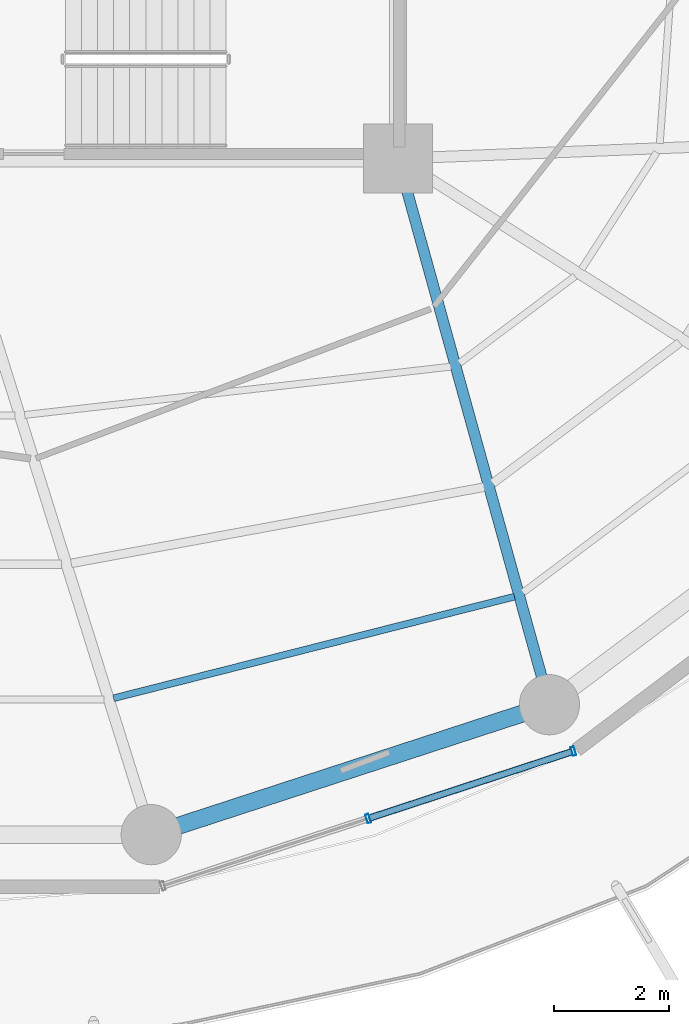
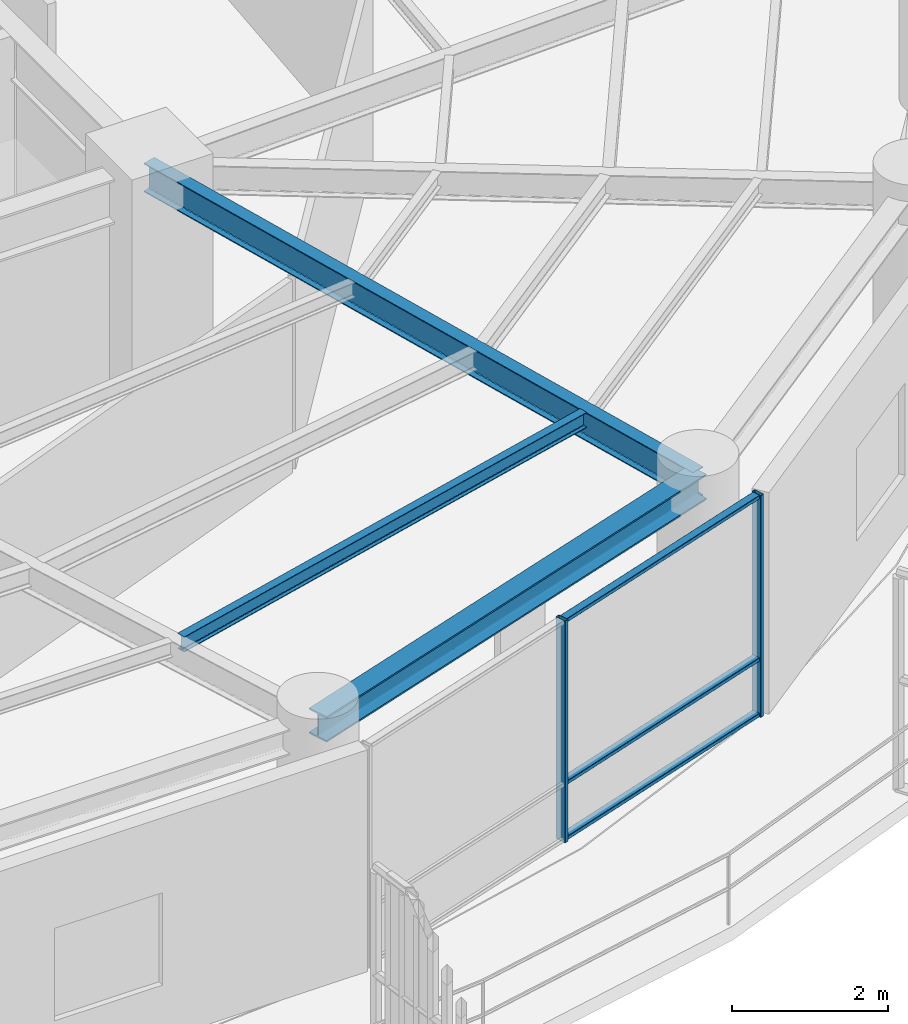
# One storey, part 10 of 31: 5 members, 3 beams, 1 element without a shape of its own.
"""IFC4 building model written with IfcOpenShell, lengths in metres."""

from ifc_helpers import new_model, si_unit, direction, frame, origin, origin_2d, place, context, subcontext, project, spatial, hollow_rectangle, i_section, extrude, material, layer, layer_set, material_profile, profile_set, type_object, element, aggregate, save


model = new_model("IFC4")

# Units and contexts
model_context = context("Model", 3, precision=1e-05, world=origin(), true_north=direction((0.0, 1.0)))
body_context = subcontext(model_context, "Body", "Model", "MODEL_VIEW")
ifc_project = project(units=[si_unit("LENGTHUNIT", "METRE"), si_unit("AREAUNIT", "SQUARE_METRE"), si_unit("VOLUMEUNIT", "CUBIC_METRE"), si_unit("PLANEANGLEUNIT", "RADIAN"), si_unit("MASSUNIT", "GRAM", prefix="KILO")], contexts=[model_context])

# Site, building, storey
site_placement = place(None, origin())
site = spatial("IfcSite", under=ifc_project, at=site_placement, CompositionType="ELEMENT")
building_placement = place(site_placement, origin())
building = spatial("IfcBuilding", under=site, at=building_placement, Name="Kelanora Arch Commons", CompositionType="ELEMENT")
storey_placement = place(building_placement, frame((0.0, 0.0, 200.699951171875)))
storey = spatial("IfcBuildingStorey", under=building, at=storey_placement, Name="L51", CompositionType="ELEMENT", Elevation=200.699951171875)

# Beams
ifc_material_1 = material(Name="Steel S355", Category="steel")
ifc_material_profile_1 = material_profile(ifc_material_1, i_section(OverallWidth=0.1201171875, OverallDepth=0.239990234375, WebThickness=0.006103515625, FlangeThickness=0.009765625, FilletRadius=0.014892578125, at=origin_2d()), Name="IPE240")
ifc_profile_set_1 = profile_set([ifc_material_profile_1], Name="Steel S355")
beam_type_1 = type_object("IfcBeamType", Name="BM-JST-02", PredefinedType="JOIST", material=ifc_profile_set_1)
beam_1_placement = place(storey_placement, frame((77.03857421875, 41.5888671875, 3.3701171875), z_axis=(0.969370989998, 0.245601066263, 0.0), x_axis=(-0.245601066263, 0.969370989998, 0.0)))
element("IfcBeam", 1, at=beam_1_placement, inside=storey, type_object=beam_type_1, Name="Secondary Chord Joist BJC-28 L51", PredefinedType="JOIST", context=body_context, shape_type="SweptSolid", body=[
    extrude(i_section(OverallWidth=0.1201171875, OverallDepth=0.239990234375, WebThickness=0.006103515625, FlangeThickness=0.009765625, FilletRadius=0.014892578125, at=origin_2d()), origin(), (0.0, 0.0, 1.0), 7.2119140625),
])
ifc_material_profile_2 = material_profile(ifc_material_1, i_section(OverallWidth=0.18994140625, OverallDepth=0.449951171875, WebThickness=0.009521484375, FlangeThickness=0.0146484375, FilletRadius=0.02099609375, at=origin_2d()), Name="IPE450")
ifc_profile_set_2 = profile_set([ifc_material_profile_2], Name="Steel S355")
beam_type_2 = type_object("IfcBeamType", Name="BM-RAD-Z4", PredefinedType="BEAM", material=ifc_profile_set_2)
beam_2_placement = place(storey_placement, frame((82.0, 51.0, 3.26513671875), z_axis=(0.267120164296, -0.963663228429, 0.0), x_axis=(0.963663228429, 0.267120164296, 0.0)))
element("IfcBeam", 2, at=beam_2_placement, inside=storey, type_object=beam_type_2, Name="Radial Floor Girder BR-30 L51", PredefinedType="BEAM", context=body_context, shape_type="SweptSolid", body=[
    extrude(i_section(OverallWidth=0.18994140625, OverallDepth=0.449951171875, WebThickness=0.009521484375, FlangeThickness=0.0146484375, FilletRadius=0.02099609375, at=origin_2d()), origin(), (0.0, 0.0, 1.0), 9.8828125),
])
ifc_material_profile_3 = material_profile(ifc_material_1, i_section(OverallWidth=0.300048828125, OverallDepth=0.39990234375, WebThickness=0.013427734375, FlangeThickness=0.02392578125, FilletRadius=0.027099609375, at=origin_2d()), Name="HEB400")
ifc_profile_set_3 = profile_set([ifc_material_profile_3], Name="Steel S355")
beam_type_3 = type_object("IfcBeamType", Name="BM-SPN-Z4", PredefinedType="SPANDREL", material=ifc_profile_set_3)
beam_3_placement = place(storey_placement, frame((77.6953125, 39.2099609375, 3.2900390625), z_axis=(0.950656361143, 0.310245842872, 0.0), x_axis=(-0.310245842872, 0.950656361143, 0.0)))
element("IfcBeam", 3, at=beam_3_placement, inside=storey, type_object=beam_type_3, Name="Perimeter Spandrel Beam BS-28 L51", PredefinedType="SPANDREL", context=body_context, shape_type="SweptSolid", body=[
    extrude(i_section(OverallWidth=0.300048828125, OverallDepth=0.39990234375, WebThickness=0.013427734375, FlangeThickness=0.02392578125, FilletRadius=0.027099609375, at=origin_2d()), origin(), (0.0, 0.0, 1.0), 7.304931640625),
])

# Curtain wall, members
ifc_material_2 = material(Name="Terracotta ceramic-fritted low-E glass and aluminium", Category="masonry")
ifc_layer = layer(ifc_material_2, 0.175048828125)
ifc_layer_set = layer_set([ifc_layer], Name="Terracotta ceramic-fritted low-E glass and aluminium")
curtain_wall_type = type_object("IfcCurtainWallType", Name="CW-SYS-02", PredefinedType="NOTDEFINED", material=ifc_layer_set)
curtain_wall_placement = place(storey_placement, origin())
curtain_wall = element("IfcCurtainWall", 4, at=curtain_wall_placement, inside=storey, type_object=curtain_wall_type, Name="Unitised Curtain Wall L51-B14", PredefinedType="NOTDEFINED")
ifc_material_3 = material(Name="Powder-coated aluminium terracotta", Category="masonry")
ifc_material_profile_4 = material_profile(ifc_material_3, hollow_rectangle(XDim=0.159912109375, YDim=0.06005859375, WallThickness=0.0048828125, InnerFilletRadius=0.0048828125, OuterFilletRadius=0.010009765625, at=origin_2d()), Name="CWM160x60")
ifc_profile_set_4 = profile_set([ifc_material_profile_4], Name="Powder-coated aluminium terracotta")
member_type_1 = type_object("IfcMemberType", Name="CWM-STD", PredefinedType="MULLION", material=ifc_profile_set_4)
member_1_placement = place(storey_placement, frame((81.4775390625, 39.49169921875, 0.0), z_axis=(0.0, 0.0, 1.0), x_axis=(-0.311582439059, 0.950219124029, 0.0)))
member_1 = element("IfcMember", 5, at=member_1_placement, type_object=member_type_1, Name="CW-02 mullion 2", PredefinedType="MULLION", context=body_context, shape_type="SweptSolid", body=[
    extrude(hollow_rectangle(XDim=0.159912109375, YDim=0.06005859375, WallThickness=0.0048828125, InnerFilletRadius=0.0048828125, OuterFilletRadius=0.010009765625, at=origin_2d()), origin(), (0.0, 0.0, 1.0), 3.47509765625),
])
member_2_placement = place(storey_placement, frame((85.05712890625, 40.66552734375, 0.0), z_axis=(0.0, 0.0, 1.0), x_axis=(-0.311582439059, 0.950219124029, 0.0)))
member_2 = element("IfcMember", 6, at=member_2_placement, type_object=member_type_1, Name="CW-02 mullion 3", PredefinedType="MULLION", context=body_context, shape_type="SweptSolid", body=[
    extrude(hollow_rectangle(XDim=0.159912109375, YDim=0.06005859375, WallThickness=0.0048828125, InnerFilletRadius=0.0048828125, OuterFilletRadius=0.010009765625, at=origin_2d()), origin(), (0.0, 0.0, 1.0), 3.47509765625),
])
ifc_material_profile_5 = material_profile(ifc_material_3, hollow_rectangle(XDim=0.1201171875, YDim=0.06005859375, WallThickness=0.0048828125, InnerFilletRadius=0.0048828125, OuterFilletRadius=0.010009765625, at=origin_2d()), Name="CWT120x60")
ifc_profile_set_5 = profile_set([ifc_material_profile_5], Name="Powder-coated aluminium terracotta")
member_type_2 = type_object("IfcMemberType", Name="CWT-STD", PredefinedType="USERDEFINED", material=ifc_profile_set_5)
member_3_placement = place(storey_placement, frame((81.506103515625, 39.5009765625, 0.030029296875), z_axis=(0.950226025222, 0.311561392011, 0.0), x_axis=(-0.311561392011, 0.950226025222, 0.0)))
member_3 = element("IfcMember", 7, at=member_3_placement, type_object=member_type_2, Name="CW-02 transom 2.1", ObjectType="TRANSOM", PredefinedType="USERDEFINED", context=body_context, shape_type="SweptSolid", body=[
    extrude(hollow_rectangle(XDim=0.1201171875, YDim=0.06005859375, WallThickness=0.0048828125, InnerFilletRadius=0.0048828125, OuterFilletRadius=0.010009765625, at=origin_2d()), origin(), (0.0, 0.0, 1.0), 3.707275390625),
])
member_4_placement = place(storey_placement, frame((81.506103515625, 39.5009765625, 0.900146484375), z_axis=(0.950226025222, 0.311561392011, 0.0), x_axis=(-0.311561392011, 0.950226025222, 0.0)))
member_4 = element("IfcMember", 8, at=member_4_placement, type_object=member_type_2, Name="CW-02 transom 2.2", ObjectType="TRANSOM", PredefinedType="USERDEFINED", context=body_context, shape_type="SweptSolid", body=[
    extrude(hollow_rectangle(XDim=0.1201171875, YDim=0.06005859375, WallThickness=0.0048828125, InnerFilletRadius=0.0048828125, OuterFilletRadius=0.010009765625, at=origin_2d()), origin(), (0.0, 0.0, 1.0), 3.707275390625),
])
member_5_placement = place(storey_placement, frame((81.506103515625, 39.5009765625, 3.445068359375), z_axis=(0.950226025222, 0.311561392011, 0.0), x_axis=(-0.311561392011, 0.950226025222, 0.0)))
member_5 = element("IfcMember", 9, at=member_5_placement, type_object=member_type_2, Name="CW-02 transom 2.3", ObjectType="TRANSOM", PredefinedType="USERDEFINED", context=body_context, shape_type="SweptSolid", body=[
    extrude(hollow_rectangle(XDim=0.1201171875, YDim=0.06005859375, WallThickness=0.0048828125, InnerFilletRadius=0.0048828125, OuterFilletRadius=0.010009765625, at=origin_2d()), origin(), (0.0, 0.0, 1.0), 3.707275390625),
])
aggregate(curtain_wall, [member_1, member_2, member_3, member_4, member_5])

save(model, "model.ifc")
